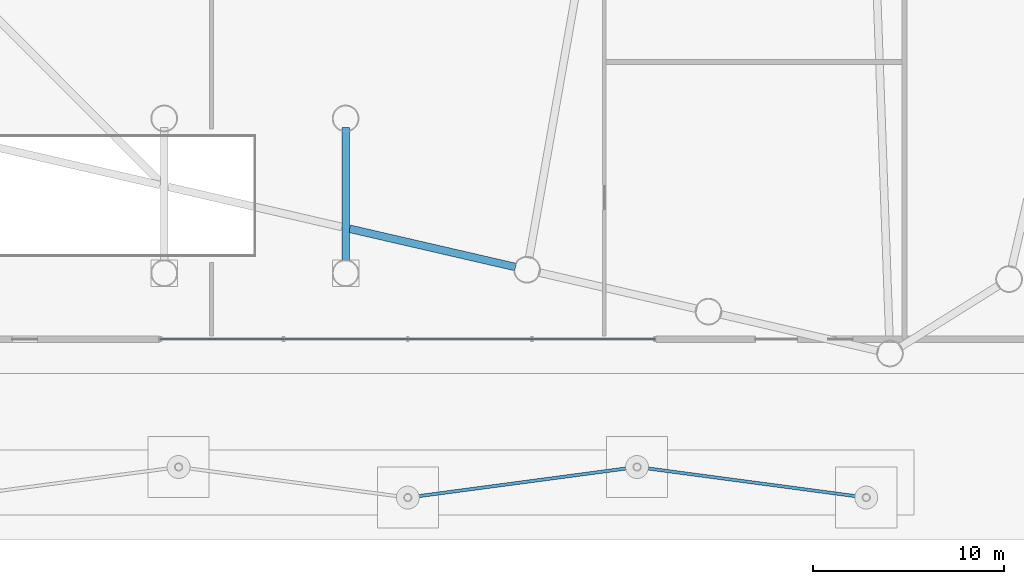
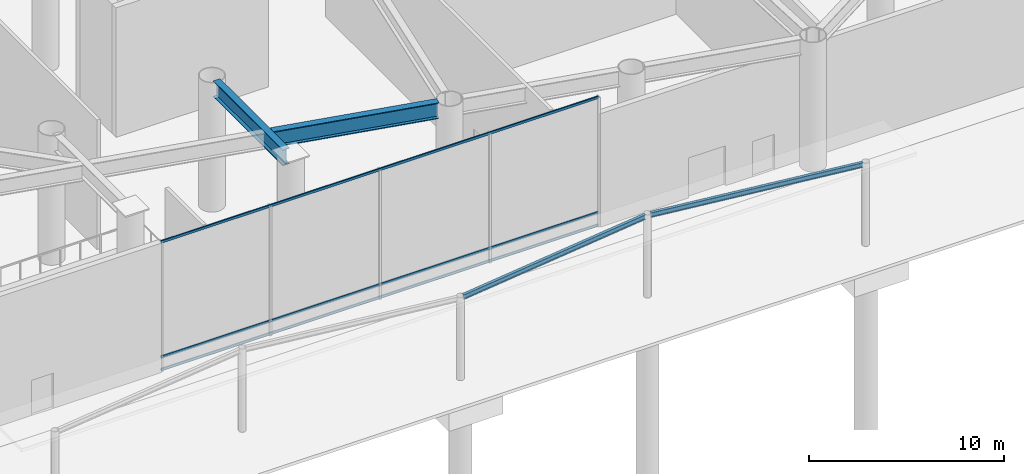
# One storey, part 10 of 28: 4 beams, 3 members, 1 element without a shape of its own.
"""IFC4 building model written with IfcOpenShell, lengths in metres."""

from ifc_helpers import new_model, si_unit, direction, frame, origin, origin_2d, place, context, subcontext, project, spatial, hollow_rectangle, i_section, extrude, material, layer, layer_set, material_profile, profile_set, type_object, element, aggregate, save


model = new_model("IFC4")

# Units and contexts
model_context = context("Model", 3, precision=1e-05, world=origin(), true_north=direction((0.0, 1.0)))
body_context = subcontext(model_context, "Body", "Model", "MODEL_VIEW")
ifc_project = project(units=[si_unit("LENGTHUNIT", "METRE"), si_unit("AREAUNIT", "SQUARE_METRE"), si_unit("VOLUMEUNIT", "CUBIC_METRE"), si_unit("PLANEANGLEUNIT", "RADIAN"), si_unit("MASSUNIT", "GRAM", prefix="KILO")], contexts=[model_context])

# Site, building, storey
site_placement = place(None, origin())
site = spatial("IfcSite", under=ifc_project, at=site_placement, CompositionType="ELEMENT")
building_placement = place(site_placement, origin())
building = spatial("IfcBuilding", under=site, at=building_placement, Name="Tavrogorsk Clinical Tower", CompositionType="ELEMENT")
storey_placement = place(building_placement, origin())
storey = spatial("IfcBuildingStorey", under=building, at=storey_placement, Name="L00", CompositionType="ELEMENT", Elevation=0.0)

# Beams
ifc_material_1 = material(Name="Structural steel S355", Category="steel")
ifc_material_profile_1 = material_profile(ifc_material_1, i_section(OverallWidth=0.1650390625, OverallDepth=0.300048828125, WebThickness=0.008544921875, FlangeThickness=0.012939453125, at=origin_2d()), Name="B-300x165x8.5x13")
ifc_profile_set_1 = profile_set([ifc_material_profile_1], Name="Structural steel S355")
beam_type_1 = type_object("IfcBeamType", Name="CanopyBeam_B300", PredefinedType="BEAM", material=ifc_profile_set_1)
for number, where, z_axis, x_axis, name in (
    (1, (0.15869140625, -41.27880859375, 5.050048828125), (0.991228624317, 0.132158292718, 0.0), (-0.132158292718, 0.991228624317, 0.0), "Ambulance Canopy Beam 3"),
    (2, (12.15869140625, -39.72119140625, 5.050048828125), (0.991228624317, -0.132158292718, 0.0), (0.132158292718, 0.991228624317, 0.0), "Ambulance Canopy Beam 4"),
):
    element("IfcBeam", number, at=place(storey_placement, frame(where, z_axis=z_axis, x_axis=x_axis)), inside=storey, type_object=beam_type_1, Name=name, PredefinedType="BEAM", context=body_context, shape_type="SweptSolid", body=[
        extrude(i_section(OverallWidth=0.1650390625, OverallDepth=0.300048828125, WebThickness=0.008544921875, FlangeThickness=0.012939453125, at=origin_2d()), origin(), (0.0, 0.0, 1.0), 11.785888671875),
    ])

# Curtain wall, members
ifc_material_2 = material(Name="Anodised aluminium and triple IGU glazing", Category="aluminium")
ifc_layer = layer(ifc_material_2, 0.179931640625)
ifc_layer_set = layer_set([ifc_layer], Name="Anodised aluminium and triple IGU glazing")
curtain_wall_type = type_object("IfcCurtainWallType", Name="CW1_LobbyStick", PredefinedType="NOTDEFINED", material=ifc_layer_set)
curtain_wall_placement = place(storey_placement, origin())
curtain_wall = element("IfcCurtainWall", 3, at=curtain_wall_placement, inside=storey, type_object=curtain_wall_type, Name="L00 Curtain Wall CW-L00-S1", PredefinedType="NOTDEFINED")
ifc_material_3 = material(Name="Anodised aluminium alloy AW-6060", Category="aluminium")
ifc_material_profile_2 = material_profile(ifc_material_3, hollow_rectangle(XDim=0.074951171875, YDim=0.14990234375, WallThickness=0.0048828125, at=origin_2d()), Name="RHS-150x75x5")
ifc_profile_set_2 = profile_set([ifc_material_profile_2], Name="Anodised aluminium alloy AW-6060")
member_type = type_object("IfcMemberType", Name="CwTransom_150x75", PredefinedType="USERDEFINED", material=ifc_profile_set_2)
member_1_placement = place(storey_placement, frame((-12.944091796875, -33.0, 0.050048828125), z_axis=(1.0, 0.0, 0.0), x_axis=(0.0, 1.0, 0.0)))
member_1 = element("IfcMember", 4, at=member_1_placement, type_object=member_type, Name="CW-L00-S1 Transom 1", ObjectType="TRANSOM", PredefinedType="USERDEFINED", context=body_context, shape_type="SweptSolid", body=[
    extrude(hollow_rectangle(XDim=0.074951171875, YDim=0.14990234375, WallThickness=0.0048828125, at=origin_2d()), origin(), (0.0, 0.0, 1.0), 25.88818359375),
])
member_2_placement = place(storey_placement, frame((-12.944091796875, -33.0, 0.85009765625), z_axis=(1.0, 0.0, 0.0), x_axis=(0.0, 1.0, 0.0)))
member_2 = element("IfcMember", 5, at=member_2_placement, type_object=member_type, Name="CW-L00-S1 Transom 2", ObjectType="TRANSOM", PredefinedType="USERDEFINED", context=body_context, shape_type="SweptSolid", body=[
    extrude(hollow_rectangle(XDim=0.074951171875, YDim=0.14990234375, WallThickness=0.0048828125, at=origin_2d()), origin(), (0.0, 0.0, 1.0), 25.88818359375),
])
member_3_placement = place(storey_placement, frame((-12.944091796875, -33.0, 8.050048828125), z_axis=(1.0, 0.0, 0.0), x_axis=(0.0, 1.0, 0.0)))
member_3 = element("IfcMember", 6, at=member_3_placement, type_object=member_type, Name="CW-L00-S1 Transom 3", ObjectType="TRANSOM", PredefinedType="USERDEFINED", context=body_context, shape_type="SweptSolid", body=[
    extrude(hollow_rectangle(XDim=0.074951171875, YDim=0.14990234375, WallThickness=0.0048828125, at=origin_2d()), origin(), (0.0, 0.0, 1.0), 25.88818359375),
])
aggregate(curtain_wall, [member_1, member_2, member_3])

# Beams
ifc_material_4 = material(Name="Structural steel S440", Category="steel")
ifc_material_profile_3 = material_profile(ifc_material_4, i_section(OverallWidth=0.39990234375, OverallDepth=1.0, WebThickness=0.028076171875, FlangeThickness=0.044921875, at=origin_2d()), Name="DK-1000x400x28x45")
ifc_profile_set_3 = profile_set([ifc_material_profile_3], Name="Structural steel S440")
beam_type_2 = type_object("IfcBeamType", Name="TransferGirder_DK1000", PredefinedType="USERDEFINED", material=ifc_profile_set_3)
beam_1_placement = place(storey_placement, frame((-3.25634765625, -29.070068359375, 7.60009765625), z_axis=(0.0, 1.0, 0.0), x_axis=(-1.0, 0.0, 0.0)))
element("IfcBeam", 7, at=beam_1_placement, inside=storey, type_object=beam_type_2, Name="L00 Ramp Portal Transfer Girder S5", ObjectType="GIRDER", PredefinedType="USERDEFINED", context=body_context, shape_type="SweptSolid", body=[
    extrude(i_section(OverallWidth=0.39990234375, OverallDepth=1.0, WebThickness=0.028076171875, FlangeThickness=0.044921875, at=origin_2d()), origin(), (0.0, 0.0, 1.0), 7.14013671875),
])
beam_2_placement = place(storey_placement, frame((-3.0517578125, -27.22509765625, 7.60009765625), z_axis=(0.974373199127, -0.224937477587, 0.0), x_axis=(0.224937477587, 0.974373199127, 0.0)))
element("IfcBeam", 8, at=beam_2_placement, inside=storey, type_object=beam_type_2, Name="L00 Perimeter Stilt Ring Girder S5-S6", ObjectType="GIRDER", PredefinedType="USERDEFINED", context=body_context, shape_type="SweptSolid", body=[
    extrude(i_section(OverallWidth=0.39990234375, OverallDepth=1.0, WebThickness=0.028076171875, FlangeThickness=0.044921875, at=origin_2d()), origin(), (0.0, 0.0, 1.0), 8.91845703125),
])

save(model, "model.ifc")
